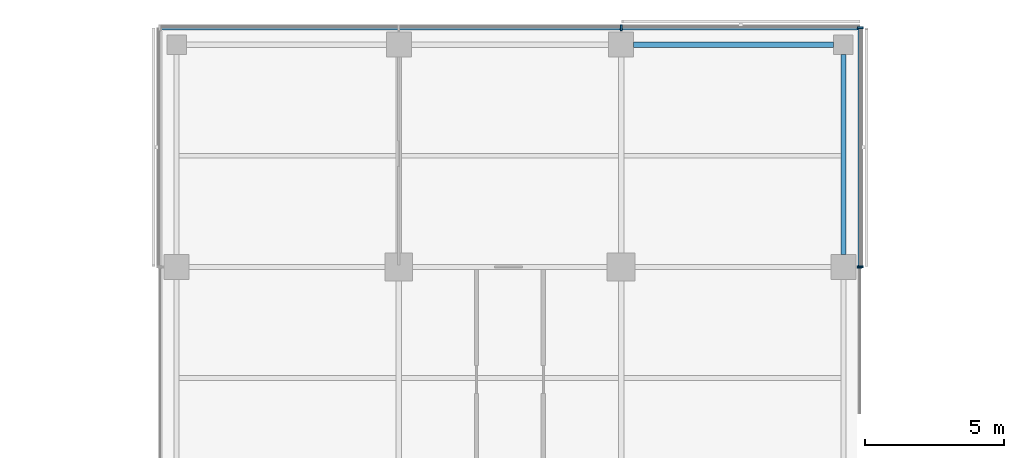
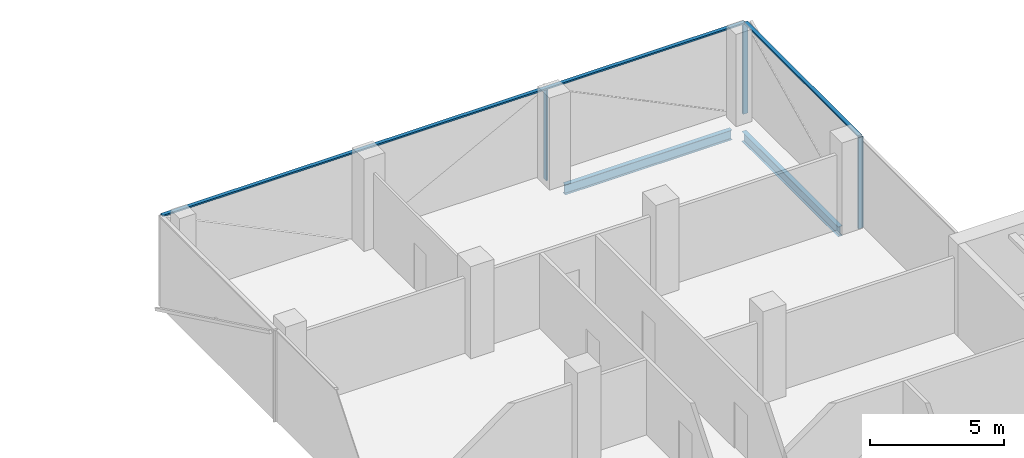
# One storey, part 10 of 22: 6 members, 2 beams, 3 elements without a shape of their own.
"""IFC4 building model written with IfcOpenShell, lengths in metres."""

import ifcopenshell
import ifcopenshell.guid

model = None  # the IFC model being written
_history = None  # IfcOwnerHistory: only IFC2X3 demands one
_inside = {}  # id of a spatial element -> (the spatial element, [elements in it])
_under = {}  # id of a project, library or spatial element -> (it, [spatial elements below it])
_declared = {}  # id of a project -> (the project, [libraries it declares])
_typed = {}  # id of a type object -> (the type object, [elements of that type])
_made_of = {}  # id of a material, layer set ... -> (it, [elements and type objects made of it])


def new_model(schema):
    """Start an empty IFC model of exactly this schema.

    Asked for "IFC4X3", IfcOpenShell would pick the latest addendum, in which some entities
    have other attributes; the version numbers below select the first issue.
    IFC2X3 requires an IfcOwnerHistory on every rooted entity: one is made here for all.
    """
    global model, _history
    if schema == "IFC4X3":
        model = ifcopenshell.file(schema_version=(4, 3, 0, 0))
    else:
        model = ifcopenshell.file(schema=schema)
    _inside.clear()
    _under.clear()
    _declared.clear()
    _typed.clear()
    _made_of.clear()
    _history = None
    if model.schema == "IFC2X3":
        org = make("IfcOrganization", Name="unknown")
        user = make(
            "IfcPersonAndOrganization",
            ThePerson=make("IfcPerson", FamilyName="unknown"),
            TheOrganization=org,
        )
        app = make(
            "IfcApplication",
            ApplicationDeveloper=org,
            Version="unknown",
            ApplicationFullName="unknown",
            ApplicationIdentifier="unknown",
        )
        _history = make(
            "IfcOwnerHistory",
            OwningUser=user,
            OwningApplication=app,
            ChangeAction="ADDED",
            CreationDate=0,
        )
    return model


def make(cls, **values):
    """One entity of the class cls with the attributes given. An attribute that is None is left unset."""
    return model.create_entity(
        cls, **{name: value for name, value in values.items() if value is not None}
    )


def rooted(cls, **values):
    """An entity with a GlobalId (a new one), such as an element, a storey or a relation."""
    return make(cls, GlobalId=ifcopenshell.guid.new(), OwnerHistory=_history, **values)


def si_unit(unit_type, name, prefix=None):
    """IfcSIUnit, for example si_unit("LENGTHUNIT", "METRE", prefix="MILLI")."""
    return make("IfcSIUnit", UnitType=unit_type, Prefix=prefix, Name=name)


def assignment(units):
    """IfcUnitAssignment: the units of a project."""
    return None if units is None else make("IfcUnitAssignment", Units=units)


def point(xyz):
    """IfcCartesianPoint."""
    return None if xyz is None else make("IfcCartesianPoint", Coordinates=xyz)


def direction(xyz):
    """IfcDirection."""
    return None if xyz is None else make("IfcDirection", DirectionRatios=xyz)


def frame(location, z_axis=None, x_axis=None):
    """IfcAxis2Placement3D, a coordinate frame: its origin and axes. An axis left out is left unset."""
    return make(
        "IfcAxis2Placement3D",
        Location=point(location),
        Axis=direction(z_axis),
        RefDirection=direction(x_axis),
    )


def frame_2d(location, x_axis=None):
    """IfcAxis2Placement2D, a coordinate frame in the plane: its origin and x axis."""
    return make(
        "IfcAxis2Placement2D", Location=point(location), RefDirection=direction(x_axis)
    )


def origin():
    """The frame at (0, 0, 0) with its axes left unset."""
    return frame((0.0, 0.0, 0.0))


def origin_2d():
    """The frame at (0, 0) in the plane with its x axis left unset."""
    return frame_2d((0.0, 0.0))


def place(relative_to, where):
    """IfcLocalPlacement: puts the frame where relative to a parent placement (None: the world)."""
    return make(
        "IfcLocalPlacement", PlacementRelTo=relative_to, RelativePlacement=where
    )


def context(
    kind, dimensions, precision=None, world=None, true_north=None, identifier=None
):
    """IfcGeometricRepresentationContext, for example the 3D "Model" context."""
    return make(
        "IfcGeometricRepresentationContext",
        ContextIdentifier=identifier,
        ContextType=kind,
        CoordinateSpaceDimension=dimensions,
        Precision=precision,
        WorldCoordinateSystem=world,
        TrueNorth=true_north,
    )


def subcontext(parent, identifier, kind, view, scale=None):
    """IfcGeometricRepresentationSubContext, for example "Body" below "Model"."""
    return make(
        "IfcGeometricRepresentationSubContext",
        ContextIdentifier=identifier,
        ContextType=kind,
        ParentContext=parent,
        TargetScale=scale,
        TargetView=view,
    )


def project(units=None, contexts=None):
    """IfcProject with its units and contexts."""
    return rooted(
        "IfcProject",
        Name="project",
        RepresentationContexts=contexts,
        UnitsInContext=assignment(units),
    )


def spatial(cls, under=None, at=None, **own):
    """A site, building, storey or space (cls), placed at a placement, below another one or the project."""
    s = rooted(cls, ObjectPlacement=at, **own)
    if under is not None:
        _under.setdefault(under.id(), (under, []))[1].append(s)
    return s


def profile(cls, at=None, kind="AREA", **sizes):
    """A parametric profile (cls). Its sizes go by their IFC names, for example OverallWidth=200.0."""
    return make(cls, ProfileType=kind, Position=at, **sizes)


def rectangle(**sizes):
    """IfcRectangleProfileDef."""
    return profile("IfcRectangleProfileDef", **sizes)


def i_section(**sizes):
    """IfcIShapeProfileDef."""
    return profile("IfcIShapeProfileDef", **sizes)


def extrude(swept, where, along, depth):
    """IfcExtrudedAreaSolid: the profile swept, set in the frame where, extruded along a direction by depth."""
    return make(
        "IfcExtrudedAreaSolid",
        SweptArea=swept,
        Position=where,
        ExtrudedDirection=direction(along),
        Depth=depth,
    )


def shape(context_of_items, identifier, shape_type, items):
    """IfcShapeRepresentation: the items that make up one representation, for example the "Body"."""
    return make(
        "IfcShapeRepresentation",
        ContextOfItems=context_of_items,
        RepresentationIdentifier=identifier,
        RepresentationType=shape_type,
        Items=items,
    )


def material(Name=None, Category=None):
    """IfcMaterial."""
    return make("IfcMaterial", Name=Name, Category=Category)


def material_profile(
    of_material, cross_section, Name=None, Category=None, Priority=None
):
    """IfcMaterialProfile: a cross section and its material."""
    return make(
        "IfcMaterialProfile",
        Name=Name,
        Material=of_material,
        Profile=cross_section,
        Priority=Priority,
        Category=Category,
    )


def profile_set(profiles, Name=None, composite=None):
    """IfcMaterialProfileSet."""
    return make(
        "IfcMaterialProfileSet",
        Name=Name,
        MaterialProfiles=profiles,
        CompositeProfile=composite,
    )


def made_of(thing, what):
    """Note that an element or type object is made of a material, layer set ...; save() writes the relation."""
    if what is not None:
        _made_of.setdefault(what.id(), (what, []))[1].append(thing)
    return thing


def type_object(cls, material=None, **own):
    """A type object (cls), such as IfcWallType, which elements share."""
    return made_of(rooted(cls, **own), material)


def element(
    cls,
    number,
    at=None,
    inside=None,
    cuts=None,
    type_object=None,
    material=None,
    context=None,
    identifier="Body",
    shape_type=None,
    held_by="IfcProductDefinitionShape",
    body=None,
    shapes=None,
    **own,
):
    """One element of the class cls, such as IfcWall. Its Tag is "e" and its number.

    at: its placement. inside: the storey or other place that contains it. cuts: it is an
    opening in that element (IfcRelVoidsElement). A single representation is given by context,
    identifier, shape_type and body (its items); several are given by shapes. held_by: the class
    of the entity that holds the representations. save() writes the other relations.
    """
    e = rooted(cls, Tag="e%d" % number, ObjectPlacement=at, **own)
    if body is not None:
        shapes = [shape(context, identifier, shape_type, body)]
    if shapes is not None:
        e.Representation = make(held_by, Representations=shapes)
    if inside is not None:
        _inside.setdefault(inside.id(), (inside, []))[1].append(e)
    if cuts is not None:
        rooted(
            "IfcRelVoidsElement", RelatingBuildingElement=cuts, RelatedOpeningElement=e
        )
    if type_object is not None:
        _typed.setdefault(type_object.id(), (type_object, []))[1].append(e)
    return made_of(e, material)


def aggregate(whole, parts):
    """IfcRelAggregates: a whole, such as a stair, and the parts it consists of."""
    return rooted("IfcRelAggregates", RelatingObject=whole, RelatedObjects=parts)


def save(model, path):
    """Write the relations noted so far, then the file.

    IfcRelAggregates (storeys below a building ...), IfcRelContainedInSpatialStructure (elements
    in a storey), IfcRelDefinesByType, IfcRelAssociatesMaterial and IfcRelDeclares: one each for
    every whole, place, type object, material and project.
    """
    for whole, parts in _under.values():
        aggregate(whole, parts)
    for where, things in _inside.values():
        rooted(
            "IfcRelContainedInSpatialStructure",
            RelatedElements=things,
            RelatingStructure=where,
        )
    for kind, things in _typed.values():
        rooted("IfcRelDefinesByType", RelatedObjects=things, RelatingType=kind)
    for what, things in _made_of.values():
        rooted("IfcRelAssociatesMaterial", RelatedObjects=things, RelatingMaterial=what)
    for by, libraries in _declared.values():
        rooted("IfcRelDeclares", RelatingContext=by, RelatedDefinitions=libraries)
    model.write(path)


model = new_model("IFC4")

# Units and contexts
model_context = context("Model", 3, precision=1e-05, world=origin(), true_north=direction((0.0, 1.0)))
body_context = subcontext(model_context, "Body", "Model", "MODEL_VIEW")
ifc_project = project(units=[si_unit("LENGTHUNIT", "METRE"), si_unit("AREAUNIT", "SQUARE_METRE"), si_unit("VOLUMEUNIT", "CUBIC_METRE"), si_unit("PLANEANGLEUNIT", "RADIAN"), si_unit("MASSUNIT", "GRAM", prefix="KILO")], contexts=[model_context])

# Site, building, storey
site_placement = place(None, origin())
site = spatial("IfcSite", under=ifc_project, at=site_placement, CompositionType="ELEMENT")
building_placement = place(site_placement, origin())
building = spatial("IfcBuilding", under=site, at=building_placement, Name="Crosswind Convention Tower", CompositionType="ELEMENT")
storey_placement = place(building_placement, frame((0.0, 0.0, 163.10009765625)))
storey = spatial("IfcBuildingStorey", under=building, at=storey_placement, Name="L34", CompositionType="ELEMENT", Elevation=163.10009765625)

# Beams
ifc_material_1 = material(Name="Steel S355", Category="steel")
ifc_material_profile_1 = material_profile(ifc_material_1, i_section(OverallWidth=0.18994140625, OverallDepth=0.45361328125, WebThickness=0.008544921875, FlangeThickness=0.0126953125, FilletRadius=0.01025390625, at=origin_2d()), Name="UB 457x191x67")
ifc_profile_set_1 = profile_set([ifc_material_profile_1], Name="Steel S355")
beam_type = type_object("IfcBeamType", Name="Edge beam UB 457x191x67", PredefinedType="SPANDREL", material=ifc_profile_set_1)
for number, where, z_axis, x_axis, name in (
    (1, (129.449951171875, 128.0, -0.52685546875), (1.0, 0.0, 0.0), (0.0, 1.0, 0.0), "B16 L34 edge beam 15"),
    (2, (137.0, 120.449951171875, -0.52685546875), (0.0, 1.0, 0.0), (-1.0, 0.0, 0.0), "B16 L34 edge beam 19"),
):
    element("IfcBeam", number, at=place(storey_placement, frame(where, z_axis=z_axis, x_axis=x_axis)), inside=storey, type_object=beam_type, Name=name, PredefinedType="SPANDREL", context=body_context, shape_type="SweptSolid", body=[
        extrude(i_section(OverallWidth=0.18994140625, OverallDepth=0.45361328125, WebThickness=0.008544921875, FlangeThickness=0.0126953125, FilletRadius=0.01025390625, at=origin_2d()), origin(), (0.0, 0.0, 1.0), 7.199951171875),
    ])

# Curtain wall, member
ifc_material_2 = material(Name="Aluminium unitised curtain wall", Category="aluminium")
curtain_wall_type_1 = type_object("IfcCurtainWallType", Name="CORE END SLOT WALL 160", PredefinedType="USERDEFINED", material=ifc_material_2)
curtain_wall_1_placement = place(storey_placement, origin())
curtain_wall_1 = element("IfcCurtainWall", 3, at=curtain_wall_1_placement, inside=storey, type_object=curtain_wall_type_1, Name="CW6 L34 N-E.1-1 slot", ObjectType="UNITISED", PredefinedType="USERDEFINED")
ifc_material_3 = material(Name="Aluminium mullion", Category="aluminium")
ifc_material_profile_2 = material_profile(ifc_material_3, rectangle(XDim=0.159912109375, YDim=0.050048828125, at=origin_2d()), Name="AL 160X50")
ifc_profile_set_2 = profile_set([ifc_material_profile_2], Name="Aluminium mullion")
member_type_1 = type_object("IfcMemberType", Name="MULLION 50X160", PredefinedType="MULLION", material=ifc_profile_set_2)
member_1_placement = place(storey_placement, frame((137.580078125, 119.97509765625, -0.300048828125), z_axis=(0.0, 0.0, 1.0), x_axis=(1.0, 0.0, 0.0)))
member_1 = element("IfcMember", 4, at=member_1_placement, type_object=member_type_1, Name="CW6 mullion 2", PredefinedType="MULLION", context=body_context, shape_type="SweptSolid", body=[
    extrude(rectangle(XDim=0.159912109375, YDim=0.050048828125, at=origin_2d()), origin(), (0.0, 0.0, 1.0), 4.14990234375),
])
aggregate(curtain_wall_1, [member_1])

# Curtain wall, members
curtain_wall_type_2 = type_object("IfcCurtainWallType", Name="OFFICE UNITISED WALL 220", PredefinedType="USERDEFINED", material=ifc_material_2)
curtain_wall_2_placement = place(storey_placement, origin())
curtain_wall_2 = element("IfcCurtainWall", 5, at=curtain_wall_2_placement, inside=storey, type_object=curtain_wall_type_2, Name="CW3 L34 N-E 1", ObjectType="UNITISED", PredefinedType="USERDEFINED")
ifc_material_profile_3 = material_profile(ifc_material_3, rectangle(XDim=0.219970703125, YDim=0.070068359375, at=origin_2d()), Name="AL 220X70")
ifc_profile_set_3 = profile_set([ifc_material_profile_3], Name="Aluminium mullion")
member_type_2 = type_object("IfcMemberType", Name="MULLION 70X220", PredefinedType="MULLION", material=ifc_profile_set_3)
member_2_placement = place(storey_placement, frame((137.610107421875, 120.0, -0.300048828125), z_axis=(0.0, 0.0, 1.0), x_axis=(1.0, 0.0, 0.0)))
member_2 = element("IfcMember", 6, at=member_2_placement, type_object=member_type_2, Name="CW3 mullion 1", PredefinedType="MULLION", context=body_context, shape_type="SweptSolid", body=[
    extrude(rectangle(XDim=0.219970703125, YDim=0.070068359375, at=origin_2d()), origin(), (0.0, 0.0, 1.0), 4.1298828125),
])
member_3_placement = place(storey_placement, frame((137.610107421875, 128.610107421875, -0.300048828125), z_axis=(0.0, 0.0, 1.0), x_axis=(1.0, 0.0, 0.0)))
member_3 = element("IfcMember", 7, at=member_3_placement, type_object=member_type_2, Name="CW3 mullion 2", PredefinedType="MULLION", context=body_context, shape_type="SweptSolid", body=[
    extrude(rectangle(XDim=0.219970703125, YDim=0.070068359375, at=origin_2d()), origin(), (0.0, 0.0, 1.0), 4.1298828125),
])

# Curtain wall, member
curtain_wall_3_placement = place(storey_placement, origin())
curtain_wall_3 = element("IfcCurtainWall", 8, at=curtain_wall_3_placement, inside=storey, type_object=curtain_wall_type_2, Name="CW3 L34 N-TIP 1", ObjectType="UNITISED", PredefinedType="USERDEFINED")
member_4_placement = place(storey_placement, frame((129.0, 128.610107421875, -0.300048828125), z_axis=(0.0, 0.0, 1.0), x_axis=(0.0, 1.0, 0.0)))
member_4 = element("IfcMember", 9, at=member_4_placement, type_object=member_type_2, Name="CW3 mullion 2", PredefinedType="MULLION", context=body_context, shape_type="SweptSolid", body=[
    extrude(rectangle(XDim=0.219970703125, YDim=0.070068359375, at=origin_2d()), origin(), (0.0, 0.0, 1.0), 4.1298828125),
])

# Member
ifc_material_4 = material(Name="Aluminium transom", Category="aluminium")
ifc_material_profile_4 = material_profile(ifc_material_4, rectangle(XDim=0.159912109375, YDim=0.070068359375, at=origin_2d()), Name="AL 160X70")
ifc_profile_set_4 = profile_set([ifc_material_profile_4], Name="Aluminium transom")
member_type_3 = type_object("IfcMemberType", Name="TRANSOM 70X160", PredefinedType="USERDEFINED", material=ifc_profile_set_4)
member_5_placement = place(storey_placement, frame((137.610107421875, 120.034912109375, 3.864990234375), z_axis=(0.0, 1.0, 0.0), x_axis=(-1.0, 0.0, 0.0)))
member_5 = element("IfcMember", 10, at=member_5_placement, type_object=member_type_3, Name="CW3 transom", ObjectType="TRANSOM", PredefinedType="USERDEFINED", context=body_context, shape_type="SweptSolid", body=[
    extrude(rectangle(XDim=0.159912109375, YDim=0.070068359375, at=origin_2d()), origin(), (0.0, 0.0, 1.0), 8.5400390625),
])

aggregate(curtain_wall_2, [member_2, member_3, member_5])

member_6_placement = place(storey_placement, frame((137.574951171875, 128.610107421875, 3.864990234375), z_axis=(-1.0, 0.0, 0.0), x_axis=(0.0, -1.0, 0.0)))
member_6 = element("IfcMember", 11, at=member_6_placement, type_object=member_type_3, Name="CW3 transom", ObjectType="TRANSOM", PredefinedType="USERDEFINED", context=body_context, shape_type="SweptSolid", body=[
    extrude(rectangle(XDim=0.159912109375, YDim=0.070068359375, at=origin_2d()), origin(), (0.0, 0.0, 1.0), 25.14990234375),
])

aggregate(curtain_wall_3, [member_4, member_6])

save(model, "model.ifc")
